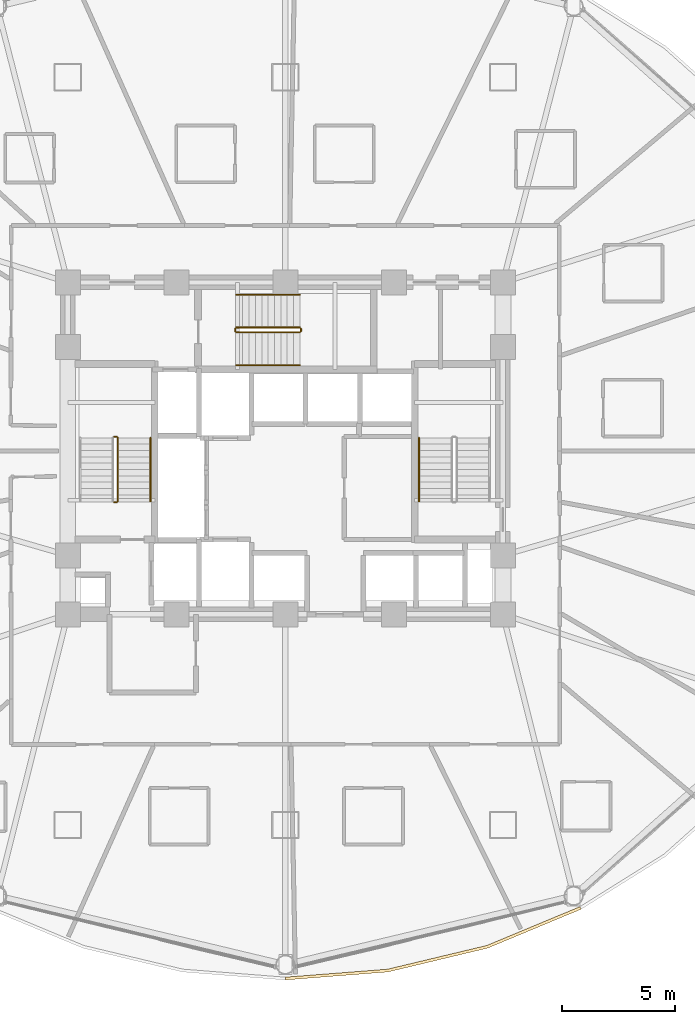
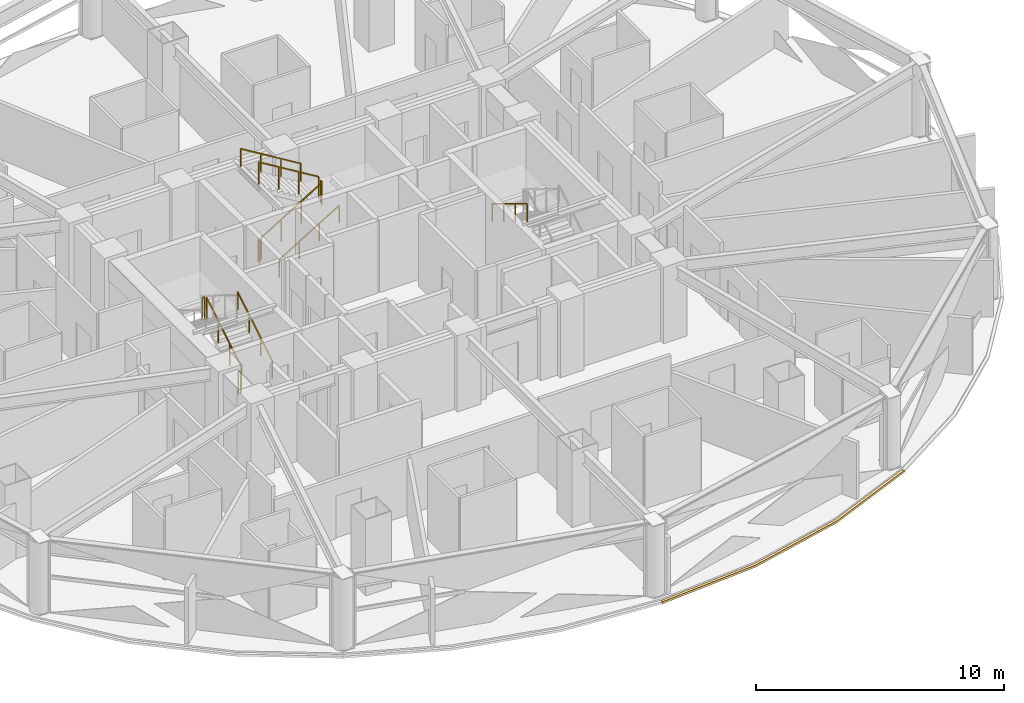
# One storey, part 29 of 31: 11 railings, 1 covering.
"""IFC4 building model written with IfcOpenShell, lengths in metres."""

from ifc_helpers import new_model, si_unit, direction, frame, origin, origin_2d, place, context, subcontext, project, spatial, polyline, rectangle, outline, extrude, material, layer, layer_set, type_object, element, save


model = new_model("IFC4")

# Units and contexts
model_context = context("Model", 3, precision=1e-05, world=origin(), true_north=direction((0.0, 1.0)))
body_context = subcontext(model_context, "Body", "Model", "MODEL_VIEW")
ifc_project = project(units=[si_unit("LENGTHUNIT", "METRE"), si_unit("AREAUNIT", "SQUARE_METRE"), si_unit("VOLUMEUNIT", "CUBIC_METRE"), si_unit("PLANEANGLEUNIT", "RADIAN"), si_unit("MASSUNIT", "GRAM", prefix="KILO")], contexts=[model_context])

# Site, building, storey
site_placement = place(None, origin())
site = spatial("IfcSite", under=ifc_project, at=site_placement, CompositionType="ELEMENT")
building_placement = place(site_placement, origin())
building = spatial("IfcBuilding", under=site, at=building_placement, Name="Vantalir Tower", CompositionType="ELEMENT")
storey_placement = place(building_placement, frame((0.0, 0.0, 30.75)))
storey = spatial("IfcBuildingStorey", under=building, at=storey_placement, Name="L06", CompositionType="ELEMENT", Elevation=30.75)

# Covering
ifc_material_1 = material(Name="Anodised champagne aluminium sill fascia", Category="aluminium")
ifc_layer = layer(ifc_material_1, 0.125)
ifc_layer_set = layer_set([ifc_layer], Name="Anodised champagne aluminium sill fascia")
covering_type = type_object("IfcCoveringType", Name="COV-SLAB-FASCIA-125", PredefinedType="CLADDING", material=ifc_layer_set)
covering_placement = place(storey_placement, frame((0.0, 0.0, -0.179931640625)))
element("IfcCovering", 1, at=covering_placement, inside=storey, type_object=covering_type, Name="L06 Perimeter Slab-Edge Sill Fascia 10", PredefinedType="CLADDING", context=body_context, shape_type="SweptSolid", body=[
    extrude(outline(polyline([(31.5, 1.660888671875), (36.037109375, 2.01611328125), (40.43505859375, 3.069091796875), (44.56298828125, 4.7880859375), (44.5, 4.89599609375), (40.39306640625, 3.18603515625), (36.014892578125, 2.138916015625), (31.5, 1.785888671875), (31.5, 1.660888671875)])), origin(), (0.0, 0.0, 1.0), 0.10498046875),
])

# Railings
ifc_material_2 = material(Name="Anodised aluminium and stainless steel guard", Category="steel")
railing_type_1 = type_object("IfcRailingType", Name="RAL-GUARD-1120", PredefinedType="GUARDRAIL", material=ifc_material_2)
railing_1_placement = place(storey_placement, frame((24.110107421875, 22.7900390625, 0.17041015625)))
element("IfcRailing", 2, at=railing_1_placement, inside=storey, type_object=railing_type_1, Name="L06 ST1 stair guard 1", PredefinedType="GUARDRAIL", context=body_context, shape_type="SweptSolid", body=[
    extrude(rectangle(XDim=0.048095703125, YDim=0.048095703125, at=origin_2d()), frame((0.0, 0.0, 1.09619140625), z_axis=(0.0, 0.854169791009, 0.51999420009), x_axis=(-1.0, 0.0, 0.0)), (0.0, 0.0, 1.0), 3.278076171875),
    extrude(rectangle(XDim=0.0419921875, YDim=0.0419921875, at=origin_2d()), origin(), (0.0, 0.0, 1.0), 1.072021484375),
    extrude(rectangle(XDim=0.0419921875, YDim=0.0419921875, at=origin_2d()), frame((0.0, 0.933349609375, 0.568115234375)), (0.0, 0.0, 1.0), 1.072021484375),
    extrude(rectangle(XDim=0.0419921875, YDim=0.0419921875, at=origin_2d()), frame((0.0, 1.86669921875, 1.136474609375)), (0.0, 0.0, 1.0), 1.072021484375),
    extrude(rectangle(XDim=0.0419921875, YDim=0.0419921875, at=origin_2d()), frame((0.0, 2.800048828125, 1.70458984375)), (0.0, 0.0, 1.0), 1.072021484375),
])
for number, where, name in (
    (3, (24.06005859375, 25.639892578125, 1.875), "L06 ST1 stair guard 2"),
    (4, (24.06005859375, 22.739990234375, 0.0), "L06 ST1 stair guard 4"),
):
    element("IfcRailing", number, at=place(storey_placement, frame(where)), inside=storey, type_object=railing_type_1, Name=name, PredefinedType="GUARDRAIL", context=body_context, shape_type="SweptSolid", body=[
        extrude(rectangle(XDim=0.048095703125, YDim=0.048095703125, at=origin_2d()), frame((0.0, 0.0, 1.09619140625), z_axis=(-1.0, 0.0, 0.0), x_axis=(0.0, -1.0, 0.0)), (0.0, 0.0, 1.0), 0.1201171875),
        extrude(rectangle(XDim=0.0419921875, YDim=0.0419921875, at=origin_2d()), origin(), (0.0, 0.0, 1.0), 1.072021484375),
        extrude(rectangle(XDim=0.0419921875, YDim=0.0419921875, at=origin_2d()), frame((-0.1201171875, 0.0, 0.0)), (0.0, 0.0, 1.0), 1.072021484375),
    ])
railing_2_placement = place(storey_placement, frame((29.340087890625, 30.239990234375, 0.17041015625)))
element("IfcRailing", 5, at=railing_2_placement, inside=storey, type_object=railing_type_1, Name="L06 ST3 stair guard 1", PredefinedType="GUARDRAIL", context=body_context, shape_type="SweptSolid", body=[
    extrude(rectangle(XDim=0.048095703125, YDim=0.048095703125, at=origin_2d()), frame((0.0, 0.0, 1.09619140625), z_axis=(0.854149651119, 0.0, 0.520027281489), x_axis=(0.0, 1.0, 0.0)), (0.0, 0.0, 1.0), 3.27783203125),
    extrude(rectangle(XDim=0.0419921875, YDim=0.0419921875, at=origin_2d()), origin(), (0.0, 0.0, 1.0), 1.072021484375),
    extrude(rectangle(XDim=0.0419921875, YDim=0.0419921875, at=origin_2d()), frame((0.933349609375, 0.0, 0.568115234375)), (0.0, 0.0, 1.0), 1.072021484375),
    extrude(rectangle(XDim=0.0419921875, YDim=0.0419921875, at=origin_2d()), frame((1.866455078125, 0.0, 1.136474609375)), (0.0, 0.0, 1.0), 1.072021484375),
    extrude(rectangle(XDim=0.0419921875, YDim=0.0419921875, at=origin_2d()), frame((2.7998046875, 0.0, 1.70458984375)), (0.0, 0.0, 1.0), 1.072021484375),
])
railing_3_placement = place(storey_placement, frame((32.18994140625, 30.2900390625, 1.875)))
element("IfcRailing", 6, at=railing_3_placement, inside=storey, type_object=railing_type_1, Name="L06 ST3 stair guard 2", PredefinedType="GUARDRAIL", context=body_context, shape_type="SweptSolid", body=[
    extrude(rectangle(XDim=0.048095703125, YDim=0.048095703125, at=origin_2d()), frame((0.0, 0.0, 1.09619140625), z_axis=(0.0, 1.0, 0.0), x_axis=(-1.0, 0.0, 0.0)), (0.0, 0.0, 1.0), 0.119873046875),
    extrude(rectangle(XDim=0.0419921875, YDim=0.0419921875, at=origin_2d()), origin(), (0.0, 0.0, 1.0), 1.072021484375),
    extrude(rectangle(XDim=0.0419921875, YDim=0.0419921875, at=origin_2d()), frame((0.0, 0.119873046875, 0.0)), (0.0, 0.0, 1.0), 1.072021484375),
])
railing_4_placement = place(storey_placement, frame((32.139892578125, 30.4599609375, 2.04541015625)))
element("IfcRailing", 7, at=railing_4_placement, inside=storey, type_object=railing_type_1, Name="L06 ST3 stair guard 3", PredefinedType="GUARDRAIL", context=body_context, shape_type="SweptSolid", body=[
    extrude(rectangle(XDim=0.048095703125, YDim=0.048095703125, at=origin_2d()), frame((0.0, 0.0, 1.09619140625), z_axis=(-0.854149651119, 0.0, 0.520027281489), x_axis=(0.0, -1.0, 0.0)), (0.0, 0.0, 1.0), 3.27783203125),
    extrude(rectangle(XDim=0.0419921875, YDim=0.0419921875, at=origin_2d()), origin(), (0.0, 0.0, 1.0), 1.072021484375),
    extrude(rectangle(XDim=0.0419921875, YDim=0.0419921875, at=origin_2d()), frame((-0.933349609375, 0.0, 0.568115234375)), (0.0, 0.0, 1.0), 1.072021484375),
    extrude(rectangle(XDim=0.0419921875, YDim=0.0419921875, at=origin_2d()), frame((-1.866455078125, 0.0, 1.136474609375)), (0.0, 0.0, 1.0), 1.072021484375),
    extrude(rectangle(XDim=0.0419921875, YDim=0.0419921875, at=origin_2d()), frame((-2.7998046875, 0.0, 1.70458984375)), (0.0, 0.0, 1.0), 1.072021484375),
])
railing_5_placement = place(storey_placement, frame((29.2900390625, 30.2900390625, 0.0)))
element("IfcRailing", 8, at=railing_5_placement, inside=storey, type_object=railing_type_1, Name="L06 ST3 stair guard 4", PredefinedType="GUARDRAIL", context=body_context, shape_type="SweptSolid", body=[
    extrude(rectangle(XDim=0.048095703125, YDim=0.048095703125, at=origin_2d()), frame((0.0, 0.0, 1.09619140625), z_axis=(0.0, 1.0, 0.0), x_axis=(-1.0, 0.0, 0.0)), (0.0, 0.0, 1.0), 0.119873046875),
    extrude(rectangle(XDim=0.0419921875, YDim=0.0419921875, at=origin_2d()), origin(), (0.0, 0.0, 1.0), 1.072021484375),
    extrude(rectangle(XDim=0.0419921875, YDim=0.0419921875, at=origin_2d()), frame((0.0, 0.119873046875, 0.0)), (0.0, 0.0, 1.0), 1.072021484375),
])
ifc_material_3 = material(Name="Brushed stainless steel tubular handrail", Category="steel")
railing_type_2 = type_object("IfcRailingType", Name="RAL-HANDRAIL-900", PredefinedType="HANDRAIL", material=ifc_material_3)
railing_6_placement = place(storey_placement, frame((25.550048828125, 22.7900390625, 0.17041015625)))
element("IfcRailing", 9, at=railing_6_placement, inside=storey, type_object=railing_type_2, Name="L06 ST1 stair handrail 1", PredefinedType="HANDRAIL", context=body_context, shape_type="SweptSolid", body=[
    extrude(rectangle(XDim=0.048095703125, YDim=0.048095703125, at=origin_2d()), frame((0.0, 0.0, 0.8759765625), z_axis=(0.0, 0.854169791009, 0.51999420009), x_axis=(-1.0, 0.0, 0.0)), (0.0, 0.0, 1.0), 3.278076171875),
    extrude(rectangle(XDim=0.0419921875, YDim=0.0419921875, at=origin_2d()), origin(), (0.0, 0.0, 1.0), 0.851806640625),
    extrude(rectangle(XDim=0.0419921875, YDim=0.0419921875, at=origin_2d()), frame((0.0, 0.933349609375, 0.568115234375)), (0.0, 0.0, 1.0), 0.851806640625),
    extrude(rectangle(XDim=0.0419921875, YDim=0.0419921875, at=origin_2d()), frame((0.0, 1.86669921875, 1.136474609375)), (0.0, 0.0, 1.0), 0.851806640625),
    extrude(rectangle(XDim=0.0419921875, YDim=0.0419921875, at=origin_2d()), frame((0.0, 2.800048828125, 1.70458984375)), (0.0, 0.0, 1.0), 0.851806640625),
])
railing_7_placement = place(storey_placement, frame((37.39990234375, 25.590087890625, 2.04541015625)))
element("IfcRailing", 10, at=railing_7_placement, inside=storey, type_object=railing_type_2, Name="L06 ST2 stair handrail 2", PredefinedType="HANDRAIL", context=body_context, shape_type="SweptSolid", body=[
    extrude(rectangle(XDim=0.048095703125, YDim=0.048095703125, at=origin_2d()), frame((0.0, 0.0, 0.8759765625), z_axis=(0.0, -0.854169791009, 0.51999420009), x_axis=(1.0, 0.0, 0.0)), (0.0, 0.0, 1.0), 3.278076171875),
    extrude(rectangle(XDim=0.0419921875, YDim=0.0419921875, at=origin_2d()), origin(), (0.0, 0.0, 1.0), 0.851806640625),
    extrude(rectangle(XDim=0.0419921875, YDim=0.0419921875, at=origin_2d()), frame((0.0, -0.933349609375, 0.568115234375)), (0.0, 0.0, 1.0), 0.851806640625),
    extrude(rectangle(XDim=0.0419921875, YDim=0.0419921875, at=origin_2d()), frame((0.0, -1.86669921875, 1.136474609375)), (0.0, 0.0, 1.0), 0.851806640625),
    extrude(rectangle(XDim=0.0419921875, YDim=0.0419921875, at=origin_2d()), frame((0.0, -2.800048828125, 1.70458984375)), (0.0, 0.0, 1.0), 0.851806640625),
])
railing_8_placement = place(storey_placement, frame((29.340087890625, 28.800048828125, 0.17041015625)))
element("IfcRailing", 11, at=railing_8_placement, inside=storey, type_object=railing_type_2, Name="L06 ST3 stair handrail 1", PredefinedType="HANDRAIL", context=body_context, shape_type="SweptSolid", body=[
    extrude(rectangle(XDim=0.048095703125, YDim=0.048095703125, at=origin_2d()), frame((0.0, 0.0, 0.8759765625), z_axis=(0.854149651119, 0.0, 0.520027281489), x_axis=(0.0, 1.0, 0.0)), (0.0, 0.0, 1.0), 3.27783203125),
    extrude(rectangle(XDim=0.0419921875, YDim=0.0419921875, at=origin_2d()), origin(), (0.0, 0.0, 1.0), 0.851806640625),
    extrude(rectangle(XDim=0.0419921875, YDim=0.0419921875, at=origin_2d()), frame((0.933349609375, 0.0, 0.568115234375)), (0.0, 0.0, 1.0), 0.851806640625),
    extrude(rectangle(XDim=0.0419921875, YDim=0.0419921875, at=origin_2d()), frame((1.866455078125, 0.0, 1.136474609375)), (0.0, 0.0, 1.0), 0.851806640625),
    extrude(rectangle(XDim=0.0419921875, YDim=0.0419921875, at=origin_2d()), frame((2.7998046875, 0.0, 1.70458984375)), (0.0, 0.0, 1.0), 0.851806640625),
])
railing_9_placement = place(storey_placement, frame((32.139892578125, 31.89990234375, 2.04541015625)))
element("IfcRailing", 12, at=railing_9_placement, inside=storey, type_object=railing_type_2, Name="L06 ST3 stair handrail 2", PredefinedType="HANDRAIL", context=body_context, shape_type="SweptSolid", body=[
    extrude(rectangle(XDim=0.048095703125, YDim=0.048095703125, at=origin_2d()), frame((0.0, 0.0, 0.8759765625), z_axis=(-0.854149651119, 0.0, 0.520027281489), x_axis=(0.0, -1.0, 0.0)), (0.0, 0.0, 1.0), 3.27783203125),
    extrude(rectangle(XDim=0.0419921875, YDim=0.0419921875, at=origin_2d()), origin(), (0.0, 0.0, 1.0), 0.851806640625),
    extrude(rectangle(XDim=0.0419921875, YDim=0.0419921875, at=origin_2d()), frame((-0.933349609375, 0.0, 0.568115234375)), (0.0, 0.0, 1.0), 0.851806640625),
    extrude(rectangle(XDim=0.0419921875, YDim=0.0419921875, at=origin_2d()), frame((-1.866455078125, 0.0, 1.136474609375)), (0.0, 0.0, 1.0), 0.851806640625),
    extrude(rectangle(XDim=0.0419921875, YDim=0.0419921875, at=origin_2d()), frame((-2.7998046875, 0.0, 1.70458984375)), (0.0, 0.0, 1.0), 0.851806640625),
])

save(model, "model.ifc")
